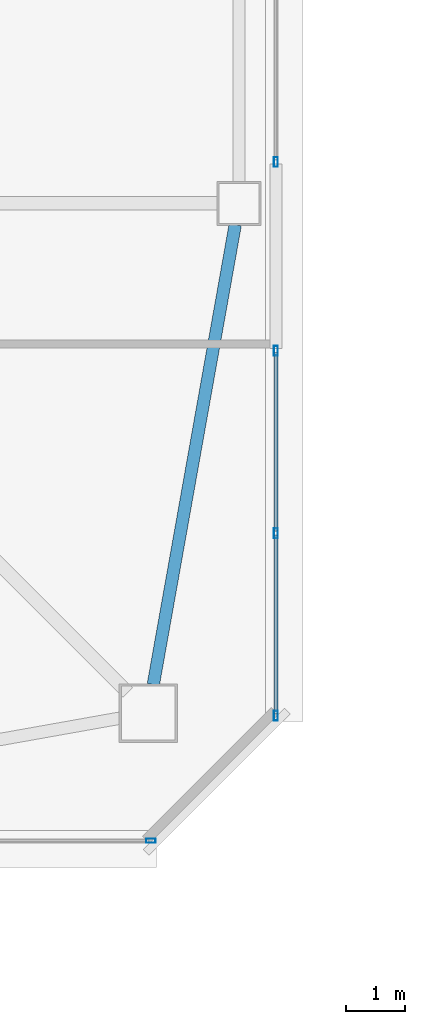
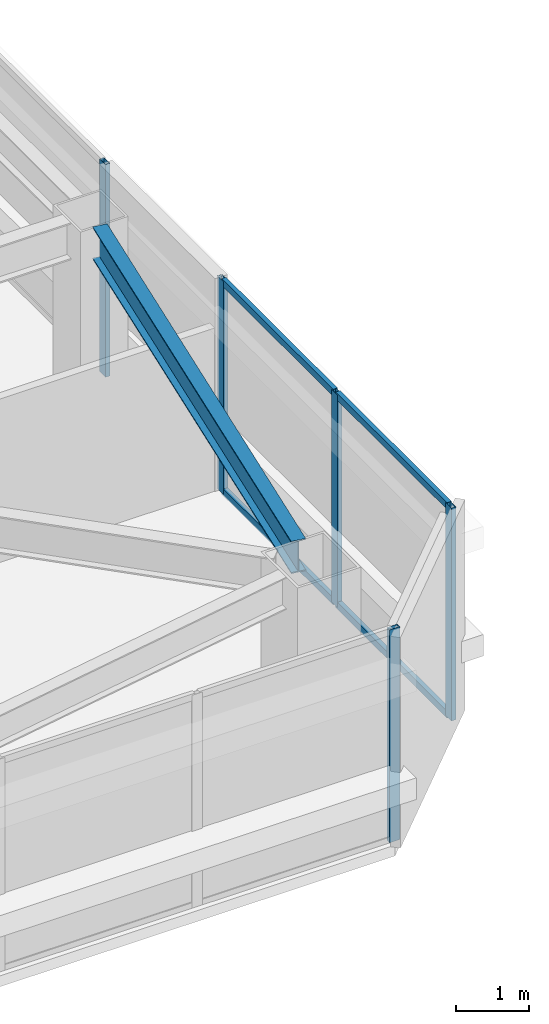
# One storey, part 9 of 39: 9 members, 1 beam, 3 elements without a shape of their own.
"""IFC4 building model written with IfcOpenShell, lengths in metres."""

from ifc_helpers import new_model, si_unit, direction, frame, origin, origin_2d, place, context, subcontext, project, spatial, hollow_rectangle, i_section, extrude, material, material_profile, profile_set, type_object, element, aggregate, save


model = new_model("IFC4")

# Units and contexts
model_context = context("Model", 3, precision=1e-05, world=origin(), true_north=direction((0.0, 1.0)))
body_context = subcontext(model_context, "Body", "Model", "MODEL_VIEW")
ifc_project = project(units=[si_unit("LENGTHUNIT", "METRE"), si_unit("AREAUNIT", "SQUARE_METRE"), si_unit("VOLUMEUNIT", "CUBIC_METRE"), si_unit("PLANEANGLEUNIT", "RADIAN"), si_unit("MASSUNIT", "GRAM", prefix="KILO")], contexts=[model_context])

# Site, building, storey
site_placement = place(None, origin())
site = spatial("IfcSite", under=ifc_project, at=site_placement, CompositionType="ELEMENT")
building_placement = place(site_placement, origin())
building = spatial("IfcBuilding", under=site, at=building_placement, Name="Tashvorn Skyway Center", CompositionType="ELEMENT")
storey_placement = place(building_placement, frame((0.0, 0.0, 214.85009765625)))
storey = spatial("IfcBuildingStorey", under=building, at=storey_placement, Name="L58", CompositionType="ELEMENT", Elevation=214.85009765625)

# Beam
ifc_material_1 = material(Name="Steel ASTM A992 Grade 50", Category="steel")
ifc_material_profile_1 = material_profile(ifc_material_1, i_section(OverallWidth=0.2109375, OverallDepth=0.5390625, WebThickness=0.01171875, FlangeThickness=0.018798828125, at=origin_2d()), Name="W21X73")
ifc_profile_set_1 = profile_set([ifc_material_profile_1], Name="Steel ASTM A992 Grade 50")
beam_type = type_object("IfcBeamType", Name="BM-SPANDREL-W21X73", PredefinedType="SPANDREL", material=ifc_profile_set_1)
beam_placement = place(storey_placement, frame((56.186767578125, 18.38720703125, 3.100341796875), z_axis=(0.17541329759, 0.984494883191, 0.0), x_axis=(-0.984494883191, 0.17541329759, 0.0)))
element("IfcBeam", 1, at=beam_placement, inside=storey, type_object=beam_type, Name="Tower 1 L58 Spandrel Beam 04", PredefinedType="SPANDREL", context=body_context, shape_type="SweptSolid", body=[
    extrude(i_section(OverallWidth=0.2109375, OverallDepth=0.5390625, WebThickness=0.01171875, FlangeThickness=0.018798828125, at=origin_2d()), origin(), (0.0, 0.0, 1.0), 7.97216796875),
])

# Curtain wall, member
ifc_material_2 = material(Name="Thermally broken bronze-anodized aluminium 6063-T6", Category="aluminium")
curtain_wall_type = type_object("IfcCurtainWallType", Name="CW-CW-Z5", PredefinedType="NOTDEFINED", material=ifc_material_2)
curtain_wall_1_placement = place(storey_placement, origin())
curtain_wall_1 = element("IfcCurtainWall", 2, at=curtain_wall_1_placement, inside=storey, type_object=curtain_wall_type, Name="Tower 1 L58 South Unitised Curtain Wall Glazing Group 1", PredefinedType="NOTDEFINED")
ifc_material_profile_2 = material_profile(ifc_material_2, hollow_rectangle(XDim=0.070068359375, YDim=0.1650390625, WallThickness=0.00390625, at=origin_2d()), Name="ALU-MULL-70x165")
ifc_profile_set_2 = profile_set([ifc_material_profile_2], Name="Thermally broken bronze-anodized aluminium 6063-T6")
member_type_1 = type_object("IfcMemberType", Name="CWM-CW-Z5", PredefinedType="MULLION", material=ifc_profile_set_2)
member_1_placement = place(storey_placement, frame((56.14501953125, 15.719970703125, 0.0), z_axis=(0.0, 0.0, 1.0), x_axis=(0.0, -1.0, 0.0)))
member_1 = element("IfcMember", 3, at=member_1_placement, type_object=member_type_1, Name="CW-Z5 mullion 1", PredefinedType="MULLION", context=body_context, shape_type="SweptSolid", body=[
    extrude(hollow_rectangle(XDim=0.070068359375, YDim=0.1650390625, WallThickness=0.00390625, at=origin_2d()), origin(), (0.0, 0.0, 1.0), 3.5498046875),
])
aggregate(curtain_wall_1, [member_1])

curtain_wall_2_placement = place(storey_placement, origin())
curtain_wall_2 = element("IfcCurtainWall", 4, at=curtain_wall_2_placement, inside=storey, type_object=curtain_wall_type, Name="Tower 1 L58 East Unitised Curtain Wall Glazing Group 2", PredefinedType="NOTDEFINED")
member_2_placement = place(storey_placement, frame((58.280029296875, 27.308349609375, 0.0), z_axis=(0.0, 0.0, 1.0), x_axis=(1.0, 0.0, 0.0)))
member_2 = element("IfcMember", 5, at=member_2_placement, type_object=member_type_1, Name="CW-Z5 mullion 2", PredefinedType="MULLION", context=body_context, shape_type="SweptSolid", body=[
    extrude(hollow_rectangle(XDim=0.070068359375, YDim=0.1650390625, WallThickness=0.00390625, at=origin_2d()), origin(), (0.0, 0.0, 1.0), 3.5498046875),
])
aggregate(curtain_wall_2, [member_2])

# Curtain wall, members
curtain_wall_3_placement = place(storey_placement, origin())
curtain_wall_3 = element("IfcCurtainWall", 6, at=curtain_wall_3_placement, inside=storey, type_object=curtain_wall_type, Name="Tower 1 L58 East Unitised Curtain Wall Glazing Group 3", PredefinedType="NOTDEFINED")
member_3_placement = place(storey_placement, frame((58.280029296875, 24.087158203125, 0.0), z_axis=(0.0, 0.0, 1.0), x_axis=(1.0, 0.0, 0.0)))
member_3 = element("IfcMember", 7, at=member_3_placement, type_object=member_type_1, Name="CW-Z5 mullion 1", PredefinedType="MULLION", context=body_context, shape_type="SweptSolid", body=[
    extrude(hollow_rectangle(XDim=0.070068359375, YDim=0.1650390625, WallThickness=0.00390625, at=origin_2d()), origin(), (0.0, 0.0, 1.0), 3.5498046875),
])
member_4_placement = place(storey_placement, frame((58.280029296875, 20.97119140625, 0.0), z_axis=(0.0, 0.0, 1.0), x_axis=(1.0, 0.0, 0.0)))
member_4 = element("IfcMember", 8, at=member_4_placement, type_object=member_type_1, Name="CW-Z5 mullion 2", PredefinedType="MULLION", context=body_context, shape_type="SweptSolid", body=[
    extrude(hollow_rectangle(XDim=0.070068359375, YDim=0.1650390625, WallThickness=0.00390625, at=origin_2d()), origin(), (0.0, 0.0, 1.0), 3.5498046875),
])
member_5_placement = place(storey_placement, frame((58.280029296875, 17.85498046875, 0.0), z_axis=(0.0, 0.0, 1.0), x_axis=(1.0, 0.0, 0.0)))
member_5 = element("IfcMember", 9, at=member_5_placement, type_object=member_type_1, Name="CW-Z5 mullion 3", PredefinedType="MULLION", context=body_context, shape_type="SweptSolid", body=[
    extrude(hollow_rectangle(XDim=0.070068359375, YDim=0.1650390625, WallThickness=0.00390625, at=origin_2d()), origin(), (0.0, 0.0, 1.0), 3.5498046875),
])
ifc_material_profile_3 = material_profile(ifc_material_2, hollow_rectangle(XDim=0.070068359375, YDim=0.114990234375, WallThickness=0.00390625, at=origin_2d()), Name="ALU-TRAN-70x115")
ifc_profile_set_3 = profile_set([ifc_material_profile_3], Name="Thermally broken bronze-anodized aluminium 6063-T6")
member_type_2 = type_object("IfcMemberType", Name="CWT-CW-Z5", PredefinedType="USERDEFINED", material=ifc_profile_set_3)
member_6_placement = place(storey_placement, frame((58.280029296875, 24.05224609375, 0.034912109375), z_axis=(0.0, -1.0, 0.0), x_axis=(1.0, 0.0, 0.0)))
member_6 = element("IfcMember", 10, at=member_6_placement, type_object=member_type_2, Name="CW-Z5 transom 1.1", ObjectType="TRANSOM", PredefinedType="USERDEFINED", context=body_context, shape_type="SweptSolid", body=[
    extrude(hollow_rectangle(XDim=0.070068359375, YDim=0.114990234375, WallThickness=0.00390625, at=origin_2d()), origin(), (0.0, 0.0, 1.0), 3.046142578125),
])
member_7_placement = place(storey_placement, frame((58.280029296875, 24.05224609375, 3.514892578125), z_axis=(0.0, -1.0, 0.0), x_axis=(1.0, 0.0, 0.0)))
member_7 = element("IfcMember", 11, at=member_7_placement, type_object=member_type_2, Name="CW-Z5 transom 1.2", ObjectType="TRANSOM", PredefinedType="USERDEFINED", context=body_context, shape_type="SweptSolid", body=[
    extrude(hollow_rectangle(XDim=0.070068359375, YDim=0.114990234375, WallThickness=0.00390625, at=origin_2d()), origin(), (0.0, 0.0, 1.0), 3.046142578125),
])
member_8_placement = place(storey_placement, frame((58.280029296875, 20.93603515625, 0.034912109375), z_axis=(0.0, -1.0, 0.0), x_axis=(1.0, 0.0, 0.0)))
member_8 = element("IfcMember", 12, at=member_8_placement, type_object=member_type_2, Name="CW-Z5 transom 2.1", ObjectType="TRANSOM", PredefinedType="USERDEFINED", context=body_context, shape_type="SweptSolid", body=[
    extrude(hollow_rectangle(XDim=0.070068359375, YDim=0.114990234375, WallThickness=0.00390625, at=origin_2d()), origin(), (0.0, 0.0, 1.0), 3.046142578125),
])
member_9_placement = place(storey_placement, frame((58.280029296875, 20.93603515625, 3.514892578125), z_axis=(0.0, -1.0, 0.0), x_axis=(1.0, 0.0, 0.0)))
member_9 = element("IfcMember", 13, at=member_9_placement, type_object=member_type_2, Name="CW-Z5 transom 2.2", ObjectType="TRANSOM", PredefinedType="USERDEFINED", context=body_context, shape_type="SweptSolid", body=[
    extrude(hollow_rectangle(XDim=0.070068359375, YDim=0.114990234375, WallThickness=0.00390625, at=origin_2d()), origin(), (0.0, 0.0, 1.0), 3.046142578125),
])
aggregate(curtain_wall_3, [member_3, member_4, member_5, member_6, member_7, member_8, member_9])

save(model, "model.ifc")
